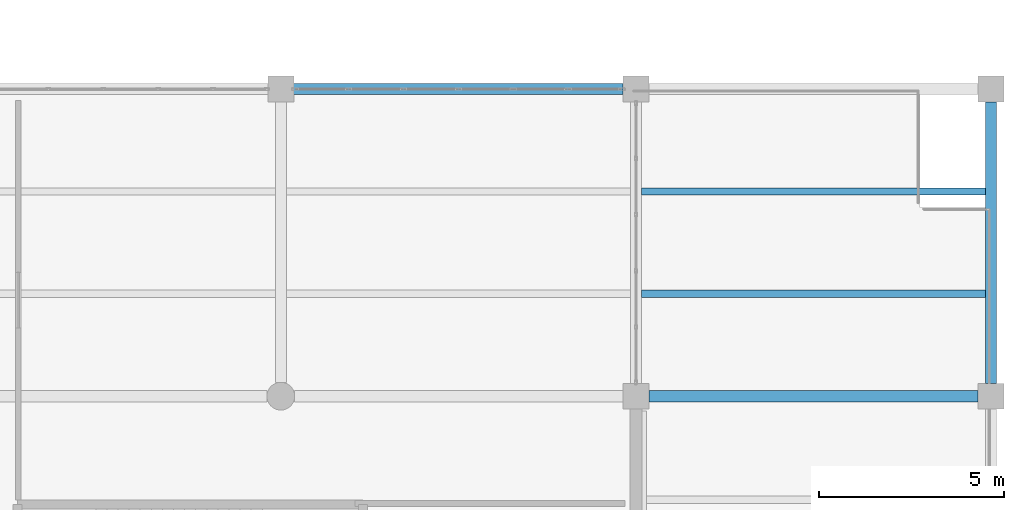
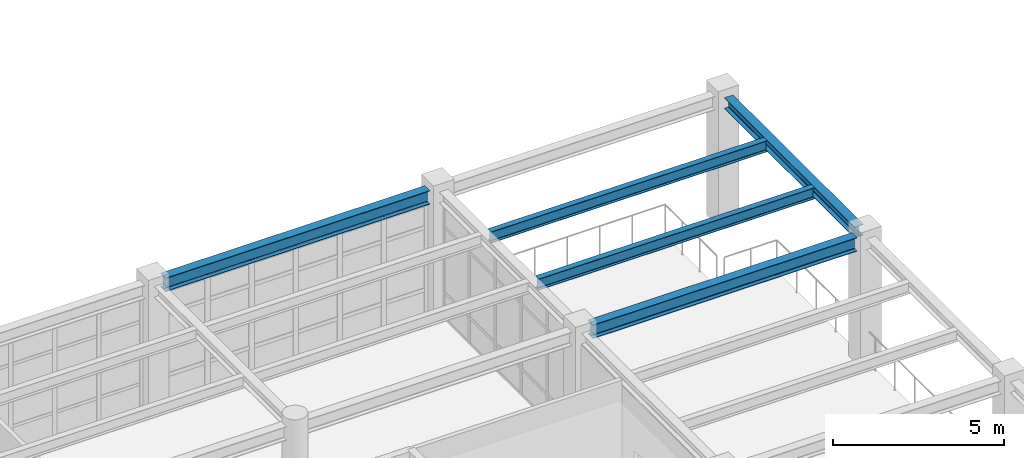
# One storey, part 65 of 98: 5 beams.
"""IFC4 building model written with IfcOpenShell, lengths in metres."""

from ifc_helpers import new_model, si_unit, direction, frame, origin, origin_2d, place, context, subcontext, project, spatial, i_section, extrude, material, material_profile, profile_set, type_object, element, save


model = new_model("IFC4")

# Units and contexts
model_context = context("Model", 3, precision=1e-05, world=origin(), true_north=direction((0.0, 1.0)))
body_context = subcontext(model_context, "Body", "Model", "MODEL_VIEW")
ifc_project = project(units=[si_unit("LENGTHUNIT", "METRE"), si_unit("AREAUNIT", "SQUARE_METRE"), si_unit("VOLUMEUNIT", "CUBIC_METRE"), si_unit("PLANEANGLEUNIT", "RADIAN"), si_unit("MASSUNIT", "GRAM", prefix="KILO")], contexts=[model_context])

# Site, building, storey
site_placement = place(None, origin())
site = spatial("IfcSite", under=ifc_project, at=site_placement, CompositionType="ELEMENT")
building_placement = place(site_placement, origin())
building = spatial("IfcBuilding", under=site, at=building_placement, Name="Canglan Escarpment Cableway Terminal", CompositionType="ELEMENT")
storey_placement = place(building_placement, frame((0.0, 0.0, 9.60009765625)))
storey = spatial("IfcBuildingStorey", under=building, at=storey_placement, Name="L02", CompositionType="ELEMENT", Elevation=9.60009765625)

# Beams
ifc_material = material(Name="Steel Q355B", Category="steel")
ifc_material_profile_1 = material_profile(ifc_material, i_section(OverallWidth=0.300048828125, OverallDepth=0.389892578125, WebThickness=0.010009765625, FlangeThickness=0.01611328125, FilletRadius=0.02197265625, at=origin_2d()), Name="HM 390x300x10x16")
ifc_profile_set_1 = profile_set([ifc_material_profile_1], Name="Steel Q355B")
beam_type_1 = type_object("IfcBeamType", Name="BM-ARCH-TOP-HM390", PredefinedType="BEAM", material=ifc_profile_set_1)
beam_1_placement = place(storey_placement, frame((176.0, 25.14990234375, 4.324951171875), z_axis=(0.0, 1.0, 0.0), x_axis=(-1.0, 0.0, 0.0)))
element("IfcBeam", 1, at=beam_1_placement, inside=storey, type_object=beam_type_1, Name="Primary transverse girder AR-TC1", PredefinedType="BEAM", context=body_context, shape_type="SweptSolid", body=[
    extrude(i_section(OverallWidth=0.300048828125, OverallDepth=0.389892578125, WebThickness=0.010009765625, FlangeThickness=0.01611328125, FilletRadius=0.02197265625, at=origin_2d()), origin(), (0.0, 0.0, 1.0), 7.60009765625),
])
ifc_material_profile_2 = material_profile(ifc_material, i_section(OverallWidth=0.300048828125, OverallDepth=0.488037109375, WebThickness=0.010986328125, FlangeThickness=0.01806640625, FilletRadius=0.02587890625, at=origin_2d()), Name="HM 488x300x11x18")
ifc_profile_set_2 = profile_set([ifc_material_profile_2], Name="Steel Q355B")
beam_type_2 = type_object("IfcBeamType", Name="BM-HM488", PredefinedType="BEAM", material=ifc_profile_set_2)
beam_2_placement = place(storey_placement, frame((166.75, 24.800048828125, 4.27587890625), z_axis=(1.0, 0.0, 0.0), x_axis=(0.0, 1.0, 0.0)))
element("IfcBeam", 2, at=beam_2_placement, inside=storey, type_object=beam_type_2, Name="Primary structural girder B-09", PredefinedType="BEAM", context=body_context, shape_type="SweptSolid", body=[
    extrude(i_section(OverallWidth=0.300048828125, OverallDepth=0.488037109375, WebThickness=0.010986328125, FlangeThickness=0.01806640625, FilletRadius=0.02587890625, at=origin_2d()), origin(), (0.0, 0.0, 1.0), 8.89990234375),
])
beam_3_placement = place(storey_placement, frame((157.14990234375, 33.10009765625, 4.27587890625), z_axis=(1.0, 0.0, 0.0), x_axis=(0.0, 1.0, 0.0)))
element("IfcBeam", 3, at=beam_3_placement, inside=storey, type_object=beam_type_2, Name="Primary structural girder B-09", PredefinedType="BEAM", context=body_context, shape_type="SweptSolid", body=[
    extrude(i_section(OverallWidth=0.300048828125, OverallDepth=0.488037109375, WebThickness=0.010986328125, FlangeThickness=0.01806640625, FilletRadius=0.02587890625, at=origin_2d()), origin(), (0.0, 0.0, 1.0), 8.900146484375),
])
ifc_material_profile_3 = material_profile(ifc_material, i_section(OverallWidth=0.199951171875, OverallDepth=0.39990234375, WebThickness=0.008056640625, FlangeThickness=0.012939453125, FilletRadius=0.01611328125, at=origin_2d()), Name="HN 400x200x8x13")
ifc_profile_set_3 = profile_set([ifc_material_profile_3], Name="Steel Q355B")
beam_type_3 = type_object("IfcBeamType", Name="JS-HN400", PredefinedType="JOIST", material=ifc_profile_set_3)
for number, where, z_axis, x_axis, name in (
    (4, (166.550048828125, 27.566650390625, 4.31982421875), (1.0, 0.0, 0.0), (0.0, 1.0, 0.0), "Secondary composite deck joist J-03"),
    (5, (166.550048828125, 30.333251953125, 4.31982421875), (1.0, 0.0, 0.0), (0.0, 1.0, 0.0), "Secondary composite deck joist J-03"),
):
    element("IfcBeam", number, at=place(storey_placement, frame(where, z_axis=z_axis, x_axis=x_axis)), inside=storey, type_object=beam_type_3, Name=name, PredefinedType="JOIST", context=body_context, shape_type="SweptSolid", body=[
        extrude(i_section(OverallWidth=0.199951171875, OverallDepth=0.39990234375, WebThickness=0.008056640625, FlangeThickness=0.012939453125, FilletRadius=0.01611328125, at=origin_2d()), origin(), (0.0, 0.0, 1.0), 9.300048828125),
    ])

save(model, "model.ifc")
